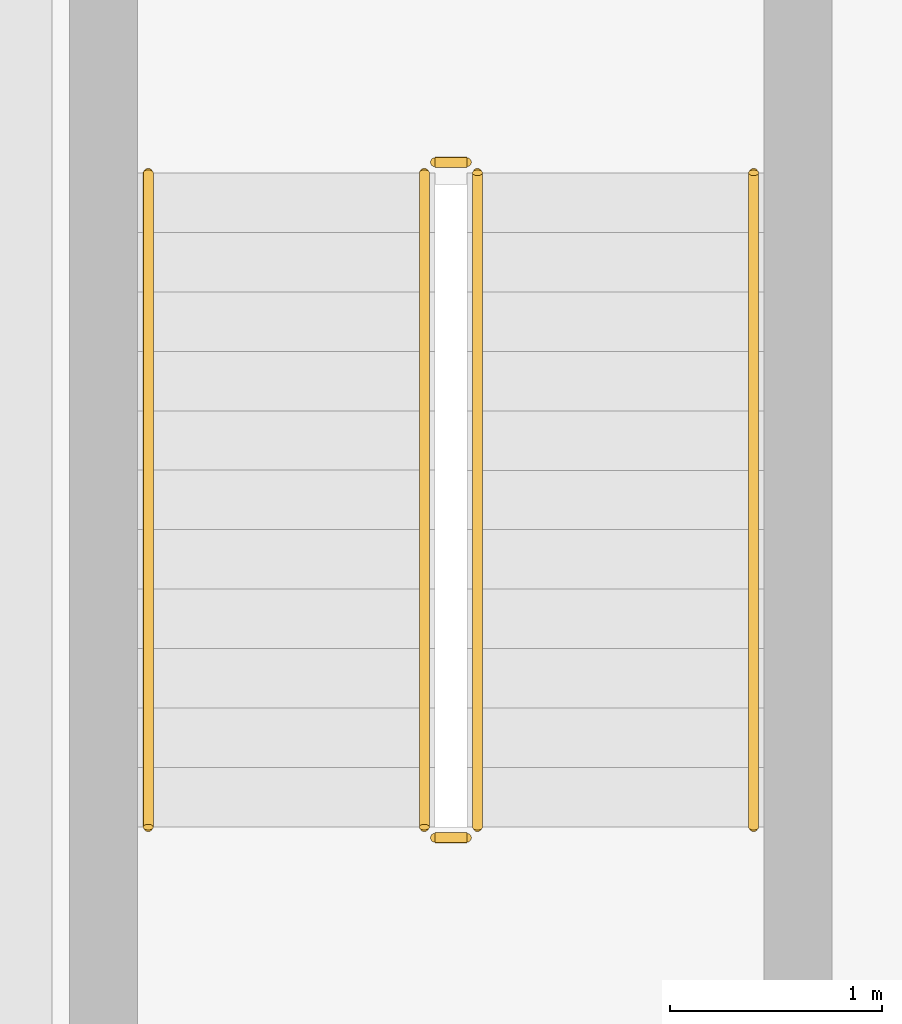
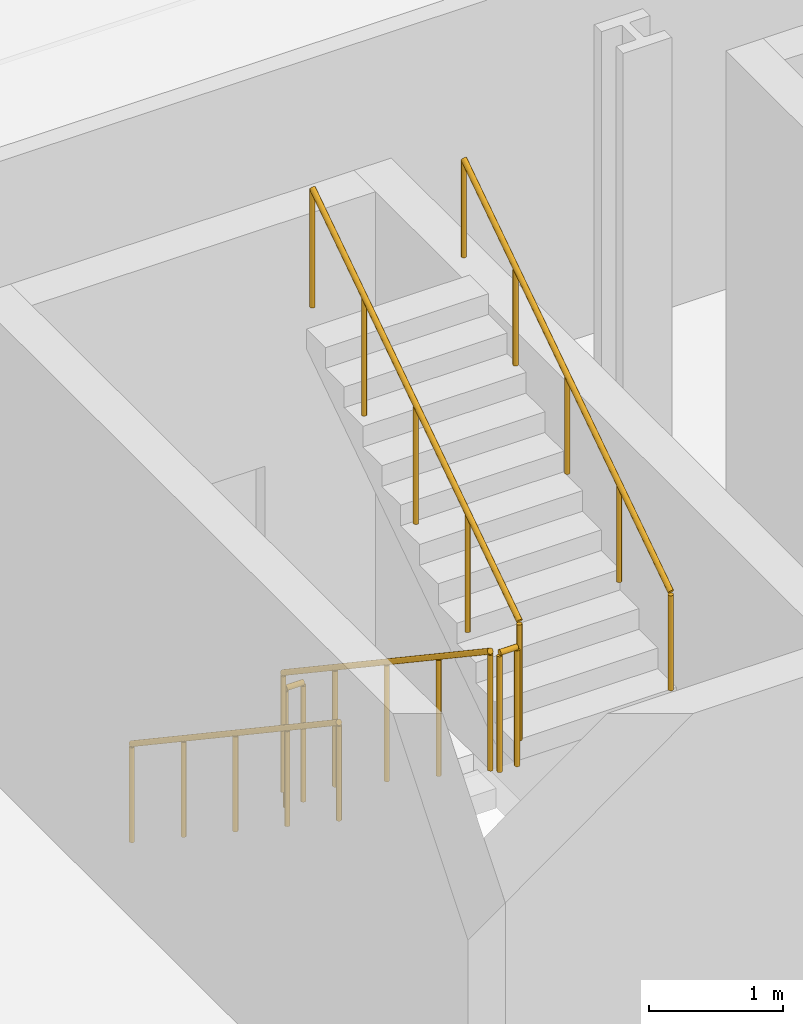
# One storey, part 20 of 26: 6 railings.
"""IFC4 building model written with IfcOpenShell, lengths in metres."""

from ifc_helpers import new_model, si_unit, direction, frame, origin, origin_2d, place, context, subcontext, project, spatial, circle, extrude, material, type_object, element, save


model = new_model("IFC4")

# Units and contexts
model_context = context("Model", 3, precision=1e-05, world=origin(), true_north=direction((0.0, 1.0)))
body_context = subcontext(model_context, "Body", "Model", "MODEL_VIEW")
ifc_project = project(units=[si_unit("LENGTHUNIT", "METRE"), si_unit("AREAUNIT", "SQUARE_METRE"), si_unit("VOLUMEUNIT", "CUBIC_METRE"), si_unit("PLANEANGLEUNIT", "RADIAN"), si_unit("MASSUNIT", "GRAM", prefix="KILO")], contexts=[model_context])

# Site, building, storey
site_placement = place(None, origin())
site = spatial("IfcSite", under=ifc_project, at=site_placement, CompositionType="ELEMENT")
building_placement = place(site_placement, origin())
building = spatial("IfcBuilding", under=site, at=building_placement, Name="Brevholm Reach", CompositionType="ELEMENT")
storey_placement = place(building_placement, frame((0.0, 0.0, 18.0)))
storey = spatial("IfcBuildingStorey", under=building, at=storey_placement, Name="L04", CompositionType="ELEMENT", Elevation=18.0)

# Railings
ifc_material_1 = material(Name="Brushed Stainless Steel EN 1.4401 Continuous Handrail", Category="steel")
railing_type_1 = type_object("IfcRailingType", Name="RAL-HND-950", PredefinedType="HANDRAIL", material=ifc_material_1)
railing_1_placement = place(storey_placement, frame((12.60009765625, 8.10009765625, 0.1875)))
element("IfcRailing", 1, at=railing_1_placement, inside=storey, type_object=railing_type_1, Name="L04 ST-1 stair handrail 1", PredefinedType="HANDRAIL", context=body_context, shape_type="SweptSolid", body=[
    extrude(circle(Radius=0.02392578125, at=origin_2d()), frame((0.0, 0.0, 0.8857421875), z_axis=(0.0, -0.830913701846, 0.55640131208), x_axis=(1.0, 0.0, 0.0)), (0.0, 0.0, 1.0), 3.706787109375),
    extrude(circle(Radius=0.02099609375, at=origin_2d()), origin(), (0.0, 0.0, 1.0), 0.86181640625),
    extrude(circle(Radius=0.02099609375, at=origin_2d()), frame((0.0, -0.77001953125, 0.515625)), (0.0, 0.0, 1.0), 0.86181640625),
    extrude(circle(Radius=0.02099609375, at=origin_2d()), frame((0.0, -1.5400390625, 1.03125)), (0.0, 0.0, 1.0), 0.86181640625),
    extrude(circle(Radius=0.02099609375, at=origin_2d()), frame((0.0, -2.31005859375, 1.546875)), (0.0, 0.0, 1.0), 0.86181640625),
    extrude(circle(Radius=0.02099609375, at=origin_2d()), frame((0.0, -3.080078125, 2.0625)), (0.0, 0.0, 1.0), 0.86181640625),
])
railing_2_placement = place(storey_placement, frame((15.449951171875, 5.02001953125, 2.4375)))
element("IfcRailing", 2, at=railing_2_placement, inside=storey, type_object=railing_type_1, Name="L04 ST-1 stair handrail 2", PredefinedType="HANDRAIL", context=body_context, shape_type="SweptSolid", body=[
    extrude(circle(Radius=0.02392578125, at=origin_2d()), frame((0.0, 0.0, 0.8857421875), z_axis=(0.0, 0.830913701846, 0.55640131208), x_axis=(-1.0, 0.0, 0.0)), (0.0, 0.0, 1.0), 3.706787109375),
    extrude(circle(Radius=0.02099609375, at=origin_2d()), origin(), (0.0, 0.0, 1.0), 0.86181640625),
    extrude(circle(Radius=0.02099609375, at=origin_2d()), frame((0.0, 0.77001953125, 0.515625)), (0.0, 0.0, 1.0), 0.86181640625),
    extrude(circle(Radius=0.02099609375, at=origin_2d()), frame((0.0, 1.5400390625, 1.03125)), (0.0, 0.0, 1.0), 0.86181640625),
    extrude(circle(Radius=0.02099609375, at=origin_2d()), frame((0.0, 2.31005859375, 1.546875)), (0.0, 0.0, 1.0), 0.86181640625),
    extrude(circle(Radius=0.02099609375, at=origin_2d()), frame((0.0, 3.080078125, 2.0625)), (0.0, 0.0, 1.0), 0.86181640625),
])
ifc_material_2 = material(Name="Painted Tubular Galvanised Steel S275JR Stair Guard", Category="steel")
railing_type_2 = type_object("IfcRailingType", Name="RAL-STG-1120", PredefinedType="BALUSTRADE", material=ifc_material_2)
railing_3_placement = place(storey_placement, frame((13.89990234375, 8.10009765625, 0.1875)))
element("IfcRailing", 3, at=railing_3_placement, inside=storey, type_object=railing_type_2, Name="L04 ST-1 stair guard 1", PredefinedType="BALUSTRADE", context=body_context, shape_type="SweptSolid", body=[
    extrude(circle(Radius=0.02392578125, at=origin_2d()), frame((0.0, 0.0, 1.076171875), z_axis=(0.0, -0.830913701846, 0.55640131208), x_axis=(1.0, 0.0, 0.0)), (0.0, 0.0, 1.0), 3.706787109375),
    extrude(circle(Radius=0.02099609375, at=origin_2d()), origin(), (0.0, 0.0, 1.0), 1.052001953125),
    extrude(circle(Radius=0.02099609375, at=origin_2d()), frame((0.0, -0.77001953125, 0.515625)), (0.0, 0.0, 1.0), 1.052001953125),
    extrude(circle(Radius=0.02099609375, at=origin_2d()), frame((0.0, -1.5400390625, 1.03125)), (0.0, 0.0, 1.0), 1.052001953125),
    extrude(circle(Radius=0.02099609375, at=origin_2d()), frame((0.0, -2.31005859375, 1.546875)), (0.0, 0.0, 1.0), 1.052001953125),
    extrude(circle(Radius=0.02099609375, at=origin_2d()), frame((0.0, -3.080078125, 2.0625)), (0.0, 0.0, 1.0), 1.052001953125),
])
railing_4_placement = place(storey_placement, frame((13.949951171875, 4.969970703125, 2.25)))
element("IfcRailing", 4, at=railing_4_placement, inside=storey, type_object=railing_type_2, Name="L04 ST-1 stair guard 2", PredefinedType="BALUSTRADE", context=body_context, shape_type="SweptSolid", body=[
    extrude(circle(Radius=0.02392578125, at=origin_2d()), frame((0.0, 0.0, 1.076171875), z_axis=(1.0, 0.0, 0.0), x_axis=(0.0, 1.0, 0.0)), (0.0, 0.0, 1.0), 0.150146484375),
    extrude(circle(Radius=0.02099609375, at=origin_2d()), origin(), (0.0, 0.0, 1.0), 1.052001953125),
    extrude(circle(Radius=0.02099609375, at=origin_2d()), frame((0.150146484375, 0.0, 0.0)), (0.0, 0.0, 1.0), 1.052001953125),
])
railing_5_placement = place(storey_placement, frame((14.14990234375, 5.02001953125, 2.4375)))
element("IfcRailing", 5, at=railing_5_placement, inside=storey, type_object=railing_type_2, Name="L04 ST-1 stair guard 3", PredefinedType="BALUSTRADE", context=body_context, shape_type="SweptSolid", body=[
    extrude(circle(Radius=0.02392578125, at=origin_2d()), frame((0.0, 0.0, 1.076171875), z_axis=(0.0, 0.830913701846, 0.55640131208), x_axis=(-1.0, 0.0, 0.0)), (0.0, 0.0, 1.0), 3.706787109375),
    extrude(circle(Radius=0.02099609375, at=origin_2d()), origin(), (0.0, 0.0, 1.0), 1.052001953125),
    extrude(circle(Radius=0.02099609375, at=origin_2d()), frame((0.0, 0.77001953125, 0.515625)), (0.0, 0.0, 1.0), 1.052001953125),
    extrude(circle(Radius=0.02099609375, at=origin_2d()), frame((0.0, 1.5400390625, 1.03125)), (0.0, 0.0, 1.0), 1.052001953125),
    extrude(circle(Radius=0.02099609375, at=origin_2d()), frame((0.0, 2.31005859375, 1.546875)), (0.0, 0.0, 1.0), 1.052001953125),
    extrude(circle(Radius=0.02099609375, at=origin_2d()), frame((0.0, 3.080078125, 2.0625)), (0.0, 0.0, 1.0), 1.052001953125),
])
railing_6_placement = place(storey_placement, frame((13.949951171875, 8.14990234375, 0.0)))
element("IfcRailing", 6, at=railing_6_placement, inside=storey, type_object=railing_type_2, Name="L04 ST-1 stair guard 4", PredefinedType="BALUSTRADE", context=body_context, shape_type="SweptSolid", body=[
    extrude(circle(Radius=0.02392578125, at=origin_2d()), frame((0.0, 0.0, 1.076171875), z_axis=(1.0, 0.0, 0.0), x_axis=(0.0, 1.0, 0.0)), (0.0, 0.0, 1.0), 0.150146484375),
    extrude(circle(Radius=0.02099609375, at=origin_2d()), origin(), (0.0, 0.0, 1.0), 1.052001953125),
    extrude(circle(Radius=0.02099609375, at=origin_2d()), frame((0.150146484375, 0.0, 0.0)), (0.0, 0.0, 1.0), 1.052001953125),
])

save(model, "model.ifc")
